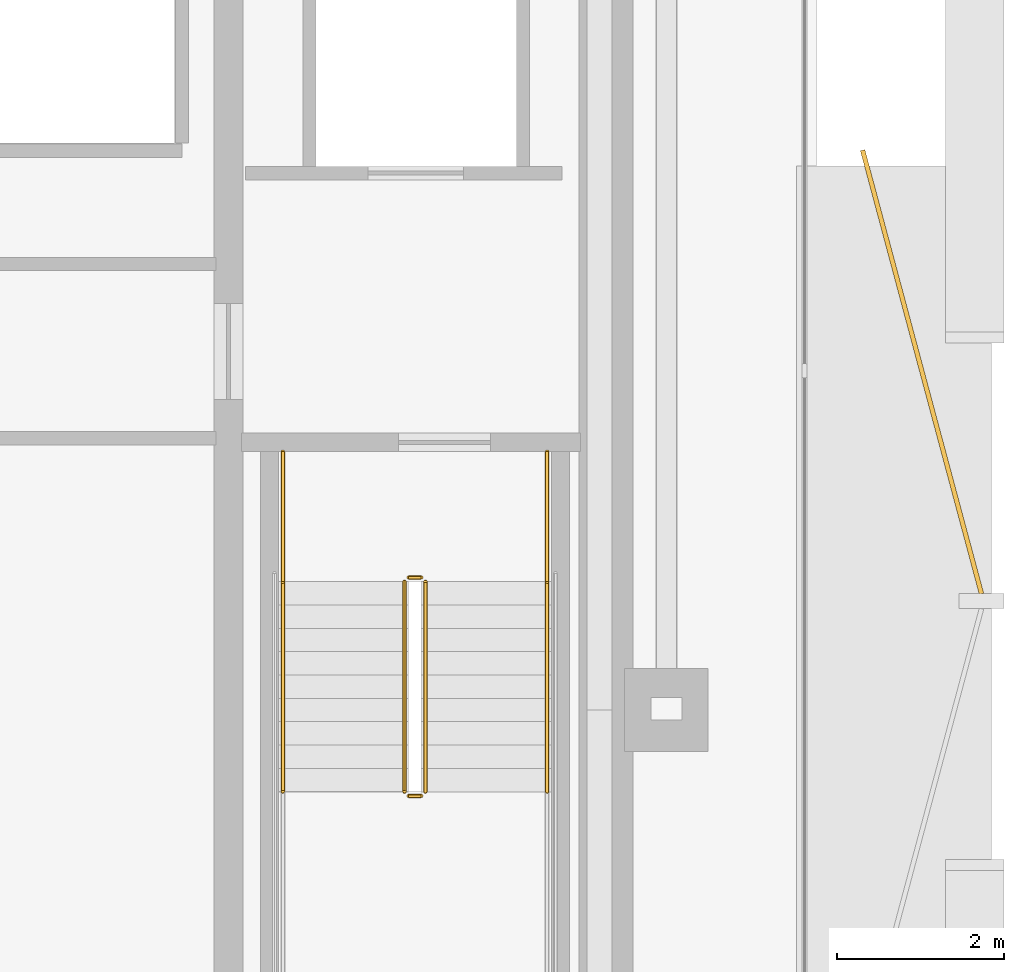
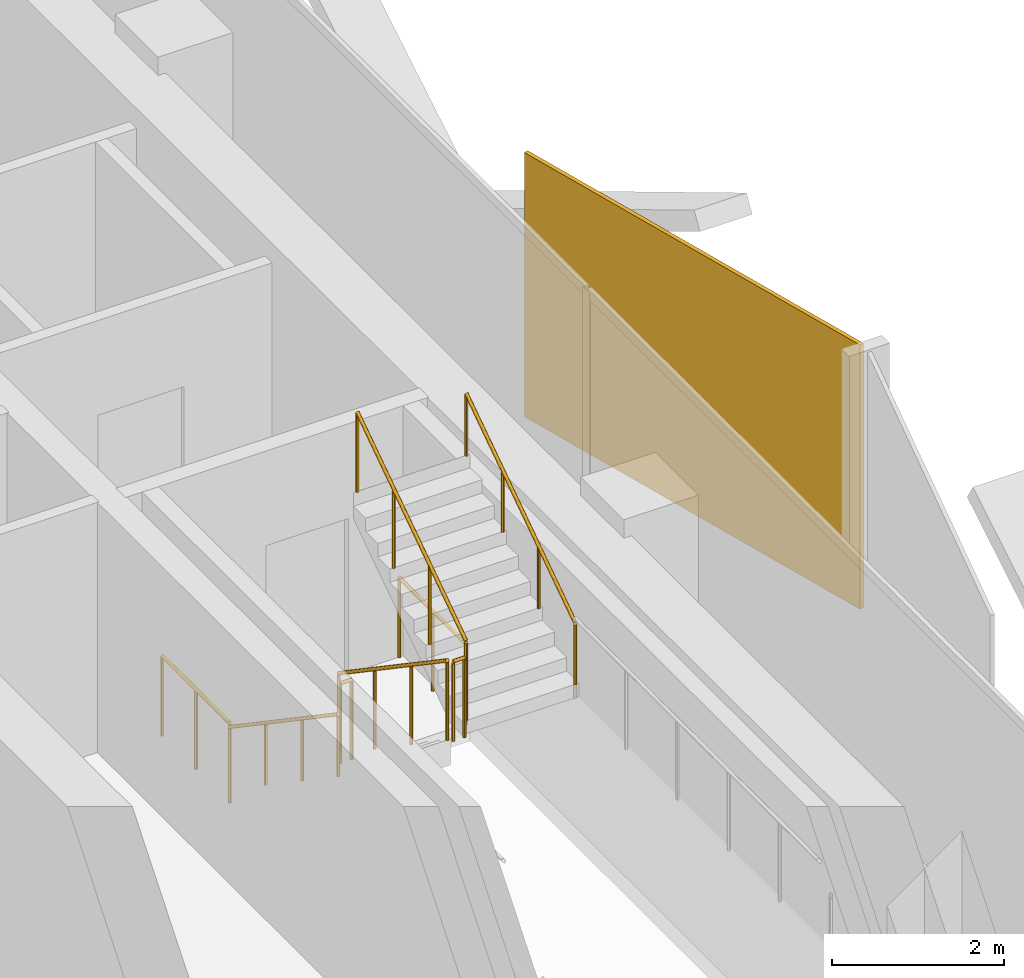
# One storey, part 15 of 17: 8 railings, 1 covering.
"""IFC4 building model written with IfcOpenShell, lengths in metres."""

import ifcopenshell
import ifcopenshell.guid

model = None  # the IFC model being written
_history = None  # IfcOwnerHistory: only IFC2X3 demands one
_inside = {}  # id of a spatial element -> (the spatial element, [elements in it])
_under = {}  # id of a project, library or spatial element -> (it, [spatial elements below it])
_declared = {}  # id of a project -> (the project, [libraries it declares])
_typed = {}  # id of a type object -> (the type object, [elements of that type])
_made_of = {}  # id of a material, layer set ... -> (it, [elements and type objects made of it])


def new_model(schema):
    """Start an empty IFC model of exactly this schema.

    Asked for "IFC4X3", IfcOpenShell would pick the latest addendum, in which some entities
    have other attributes; the version numbers below select the first issue.
    IFC2X3 requires an IfcOwnerHistory on every rooted entity: one is made here for all.
    """
    global model, _history
    if schema == "IFC4X3":
        model = ifcopenshell.file(schema_version=(4, 3, 0, 0))
    else:
        model = ifcopenshell.file(schema=schema)
    _inside.clear()
    _under.clear()
    _declared.clear()
    _typed.clear()
    _made_of.clear()
    _history = None
    if model.schema == "IFC2X3":
        org = make("IfcOrganization", Name="unknown")
        user = make(
            "IfcPersonAndOrganization",
            ThePerson=make("IfcPerson", FamilyName="unknown"),
            TheOrganization=org,
        )
        app = make(
            "IfcApplication",
            ApplicationDeveloper=org,
            Version="unknown",
            ApplicationFullName="unknown",
            ApplicationIdentifier="unknown",
        )
        _history = make(
            "IfcOwnerHistory",
            OwningUser=user,
            OwningApplication=app,
            ChangeAction="ADDED",
            CreationDate=0,
        )
    return model


def make(cls, **values):
    """One entity of the class cls with the attributes given. An attribute that is None is left unset."""
    return model.create_entity(
        cls, **{name: value for name, value in values.items() if value is not None}
    )


def rooted(cls, **values):
    """An entity with a GlobalId (a new one), such as an element, a storey or a relation."""
    return make(cls, GlobalId=ifcopenshell.guid.new(), OwnerHistory=_history, **values)


def si_unit(unit_type, name, prefix=None):
    """IfcSIUnit, for example si_unit("LENGTHUNIT", "METRE", prefix="MILLI")."""
    return make("IfcSIUnit", UnitType=unit_type, Prefix=prefix, Name=name)


def assignment(units):
    """IfcUnitAssignment: the units of a project."""
    return None if units is None else make("IfcUnitAssignment", Units=units)


def point(xyz):
    """IfcCartesianPoint."""
    return None if xyz is None else make("IfcCartesianPoint", Coordinates=xyz)


def direction(xyz):
    """IfcDirection."""
    return None if xyz is None else make("IfcDirection", DirectionRatios=xyz)


def frame(location, z_axis=None, x_axis=None):
    """IfcAxis2Placement3D, a coordinate frame: its origin and axes. An axis left out is left unset."""
    return make(
        "IfcAxis2Placement3D",
        Location=point(location),
        Axis=direction(z_axis),
        RefDirection=direction(x_axis),
    )


def frame_2d(location, x_axis=None):
    """IfcAxis2Placement2D, a coordinate frame in the plane: its origin and x axis."""
    return make(
        "IfcAxis2Placement2D", Location=point(location), RefDirection=direction(x_axis)
    )


def origin():
    """The frame at (0, 0, 0) with its axes left unset."""
    return frame((0.0, 0.0, 0.0))


def origin_2d():
    """The frame at (0, 0) in the plane with its x axis left unset."""
    return frame_2d((0.0, 0.0))


def place(relative_to, where):
    """IfcLocalPlacement: puts the frame where relative to a parent placement (None: the world)."""
    return make(
        "IfcLocalPlacement", PlacementRelTo=relative_to, RelativePlacement=where
    )


def context(
    kind, dimensions, precision=None, world=None, true_north=None, identifier=None
):
    """IfcGeometricRepresentationContext, for example the 3D "Model" context."""
    return make(
        "IfcGeometricRepresentationContext",
        ContextIdentifier=identifier,
        ContextType=kind,
        CoordinateSpaceDimension=dimensions,
        Precision=precision,
        WorldCoordinateSystem=world,
        TrueNorth=true_north,
    )


def subcontext(parent, identifier, kind, view, scale=None):
    """IfcGeometricRepresentationSubContext, for example "Body" below "Model"."""
    return make(
        "IfcGeometricRepresentationSubContext",
        ContextIdentifier=identifier,
        ContextType=kind,
        ParentContext=parent,
        TargetScale=scale,
        TargetView=view,
    )


def project(units=None, contexts=None):
    """IfcProject with its units and contexts."""
    return rooted(
        "IfcProject",
        Name="project",
        RepresentationContexts=contexts,
        UnitsInContext=assignment(units),
    )


def spatial(cls, under=None, at=None, **own):
    """A site, building, storey or space (cls), placed at a placement, below another one or the project."""
    s = rooted(cls, ObjectPlacement=at, **own)
    if under is not None:
        _under.setdefault(under.id(), (under, []))[1].append(s)
    return s


def profile(cls, at=None, kind="AREA", **sizes):
    """A parametric profile (cls). Its sizes go by their IFC names, for example OverallWidth=200.0."""
    return make(cls, ProfileType=kind, Position=at, **sizes)


def rectangle(**sizes):
    """IfcRectangleProfileDef."""
    return profile("IfcRectangleProfileDef", **sizes)


def circle(**sizes):
    """IfcCircleProfileDef."""
    return profile("IfcCircleProfileDef", **sizes)


def extrude(swept, where, along, depth):
    """IfcExtrudedAreaSolid: the profile swept, set in the frame where, extruded along a direction by depth."""
    return make(
        "IfcExtrudedAreaSolid",
        SweptArea=swept,
        Position=where,
        ExtrudedDirection=direction(along),
        Depth=depth,
    )


def shape(context_of_items, identifier, shape_type, items):
    """IfcShapeRepresentation: the items that make up one representation, for example the "Body"."""
    return make(
        "IfcShapeRepresentation",
        ContextOfItems=context_of_items,
        RepresentationIdentifier=identifier,
        RepresentationType=shape_type,
        Items=items,
    )


def material(Name=None, Category=None):
    """IfcMaterial."""
    return make("IfcMaterial", Name=Name, Category=Category)


def layer(
    of_material, thickness, ventilated=None, Name=None, Category=None, Priority=None
):
    """IfcMaterialLayer: one layer of a wall or slab, of a material (None: an air gap)."""
    return make(
        "IfcMaterialLayer",
        Material=of_material,
        LayerThickness=thickness,
        IsVentilated=ventilated,
        Name=Name,
        Category=Category,
        Priority=Priority,
    )


def layer_set(layers, Name=None):
    """IfcMaterialLayerSet."""
    return make("IfcMaterialLayerSet", MaterialLayers=layers, LayerSetName=Name)


def made_of(thing, what):
    """Note that an element or type object is made of a material, layer set ...; save() writes the relation."""
    if what is not None:
        _made_of.setdefault(what.id(), (what, []))[1].append(thing)
    return thing


def type_object(cls, material=None, **own):
    """A type object (cls), such as IfcWallType, which elements share."""
    return made_of(rooted(cls, **own), material)


def element(
    cls,
    number,
    at=None,
    inside=None,
    cuts=None,
    type_object=None,
    material=None,
    context=None,
    identifier="Body",
    shape_type=None,
    held_by="IfcProductDefinitionShape",
    body=None,
    shapes=None,
    **own,
):
    """One element of the class cls, such as IfcWall. Its Tag is "e" and its number.

    at: its placement. inside: the storey or other place that contains it. cuts: it is an
    opening in that element (IfcRelVoidsElement). A single representation is given by context,
    identifier, shape_type and body (its items); several are given by shapes. held_by: the class
    of the entity that holds the representations. save() writes the other relations.
    """
    e = rooted(cls, Tag="e%d" % number, ObjectPlacement=at, **own)
    if body is not None:
        shapes = [shape(context, identifier, shape_type, body)]
    if shapes is not None:
        e.Representation = make(held_by, Representations=shapes)
    if inside is not None:
        _inside.setdefault(inside.id(), (inside, []))[1].append(e)
    if cuts is not None:
        rooted(
            "IfcRelVoidsElement", RelatingBuildingElement=cuts, RelatedOpeningElement=e
        )
    if type_object is not None:
        _typed.setdefault(type_object.id(), (type_object, []))[1].append(e)
    return made_of(e, material)


def aggregate(whole, parts):
    """IfcRelAggregates: a whole, such as a stair, and the parts it consists of."""
    return rooted("IfcRelAggregates", RelatingObject=whole, RelatedObjects=parts)


def save(model, path):
    """Write the relations noted so far, then the file.

    IfcRelAggregates (storeys below a building ...), IfcRelContainedInSpatialStructure (elements
    in a storey), IfcRelDefinesByType, IfcRelAssociatesMaterial and IfcRelDeclares: one each for
    every whole, place, type object, material and project.
    """
    for whole, parts in _under.values():
        aggregate(whole, parts)
    for where, things in _inside.values():
        rooted(
            "IfcRelContainedInSpatialStructure",
            RelatedElements=things,
            RelatingStructure=where,
        )
    for kind, things in _typed.values():
        rooted("IfcRelDefinesByType", RelatedObjects=things, RelatingType=kind)
    for what, things in _made_of.values():
        rooted("IfcRelAssociatesMaterial", RelatedObjects=things, RelatingMaterial=what)
    for by, libraries in _declared.values():
        rooted("IfcRelDeclares", RelatingContext=by, RelatedDefinitions=libraries)
    model.write(path)


model = new_model("IFC4")

# Units and contexts
model_context = context("Model", 3, precision=1e-05, world=origin(), true_north=direction((0.0, 1.0)))
body_context = subcontext(model_context, "Body", "Model", "MODEL_VIEW")
ifc_project = project(units=[si_unit("LENGTHUNIT", "METRE"), si_unit("AREAUNIT", "SQUARE_METRE"), si_unit("VOLUMEUNIT", "CUBIC_METRE"), si_unit("PLANEANGLEUNIT", "RADIAN"), si_unit("MASSUNIT", "GRAM", prefix="KILO")], contexts=[model_context])

# Site, building, storey
site_placement = place(None, origin())
site = spatial("IfcSite", under=ifc_project, at=site_placement, CompositionType="ELEMENT")
building_placement = place(site_placement, origin())
building = spatial("IfcBuilding", under=site, at=building_placement, Name="Khairoan Windgate Tower", CompositionType="ELEMENT")
storey_placement = place(building_placement, frame((0.0, 0.0, 172.60009765625)))
storey = spatial("IfcBuildingStorey", under=building, at=storey_placement, Name="L39", CompositionType="ELEMENT", Elevation=172.60009765625)

# Covering
ifc_material_1 = material(Name="Anodised Bronze Aluminium 6063-T6", Category="aluminium")
ifc_layer = layer(ifc_material_1, 0.054931640625, Name="Anodised Bronze Aluminium 6063-T6")
ifc_layer_set = layer_set([ifc_layer], Name="Anodised Bronze Aluminium 6063-T6")
covering_type = type_object("IfcCoveringType", Name="Perforated Bronze-Ceramic Folded Solar Screen Cladding BSC-1", PredefinedType="CLADDING", material=ifc_layer_set)
covering_placement = place(storey_placement, frame((23.8671875, -6.74560546875, -0.10009765625), z_axis=(0.0, 0.0, 1.0), x_axis=(0.258819045103, -0.965925826289, 0.0)))
element("IfcCovering", 1, at=covering_placement, inside=storey, type_object=covering_type, Name="L39 Folded Bronze Solar Screen Facet 256L", PredefinedType="CLADDING", context=body_context, shape_type="SweptSolid", body=[
    extrude(rectangle(XDim=5.507080078125, YDim=0.054931640625, at=origin_2d()), origin(), (0.0, 0.0, 1.0), 3.739990234375),
])

# Railings
ifc_material_2 = material(Name="Anodised Bronze Aluminium 6063-T6", Category="aluminium")
railing_type_1 = type_object("IfcRailingType", Name="Stair Wall Handrail SHR-900", PredefinedType="HANDRAIL", material=ifc_material_2)
railing_1_placement = place(storey_placement, frame((16.199951171875, -9.260009765625, 0.18994140625)))
element("IfcRailing", 2, at=railing_1_placement, inside=storey, type_object=railing_type_1, Name="L39 ST1 stair handrail 1", PredefinedType="HANDRAIL", context=body_context, shape_type="SweptSolid", body=[
    extrude(circle(Radius=0.02392578125, at=origin_2d()), frame((0.0, 0.0, 0.8759765625), z_axis=(0.0, -0.827483756001, 0.561489655786), x_axis=(1.0, 0.0, 0.0)), (0.0, 0.0, 1.0), 3.04541015625),
    extrude(circle(Radius=0.02099609375, at=origin_2d()), origin(), (0.0, 0.0, 1.0), 0.851806640625),
    extrude(circle(Radius=0.02099609375, at=origin_2d()), frame((0.0, -0.840087890625, 0.570068359375)), (0.0, 0.0, 1.0), 0.851806640625),
    extrude(circle(Radius=0.02099609375, at=origin_2d()), frame((0.0, -1.679931640625, 1.139892578125)), (0.0, 0.0, 1.0), 0.851806640625),
    extrude(circle(Radius=0.02099609375, at=origin_2d()), frame((0.0, -2.52001953125, 1.7099609375)), (0.0, 0.0, 1.0), 0.851806640625),
])
railing_2_placement = place(storey_placement, frame((19.3701171875, -11.780029296875, 2.08984375)))
element("IfcRailing", 3, at=railing_2_placement, inside=storey, type_object=railing_type_1, Name="L39 ST1 stair handrail 2", PredefinedType="HANDRAIL", context=body_context, shape_type="SweptSolid", body=[
    extrude(circle(Radius=0.02392578125, at=origin_2d()), frame((0.0, 0.0, 0.8759765625), z_axis=(0.0, 0.827483756001, 0.561489655786), x_axis=(-1.0, 0.0, 0.0)), (0.0, 0.0, 1.0), 3.04541015625),
    extrude(circle(Radius=0.02099609375, at=origin_2d()), origin(), (0.0, 0.0, 1.0), 0.851806640625),
    extrude(circle(Radius=0.02099609375, at=origin_2d()), frame((0.0, 0.840087890625, 0.570068359375)), (0.0, 0.0, 1.0), 0.851806640625),
    extrude(circle(Radius=0.02099609375, at=origin_2d()), frame((0.0, 1.679931640625, 1.139892578125)), (0.0, 0.0, 1.0), 0.851806640625),
    extrude(circle(Radius=0.02099609375, at=origin_2d()), frame((0.0, 2.52001953125, 1.7099609375)), (0.0, 0.0, 1.0), 0.851806640625),
])
ifc_material_3 = material(Name="Steel S355", Category="steel")
railing_type_2 = type_object("IfcRailingType", Name="Stairwell Safety Guardrail SGR-1150", PredefinedType="GUARDRAIL", material=ifc_material_3)
railing_3_placement = place(storey_placement, frame((17.659912109375, -9.260009765625, 0.18994140625)))
element("IfcRailing", 4, at=railing_3_placement, inside=storey, type_object=railing_type_2, Name="L39 ST1 stair guard 1", PredefinedType="GUARDRAIL", context=body_context, shape_type="SweptSolid", body=[
    extrude(circle(Radius=0.02392578125, at=origin_2d()), frame((0.0, 0.0, 1.1259765625), z_axis=(0.0, -0.827483756001, 0.561489655786), x_axis=(1.0, 0.0, 0.0)), (0.0, 0.0, 1.0), 3.04541015625),
    extrude(circle(Radius=0.02099609375, at=origin_2d()), origin(), (0.0, 0.0, 1.0), 1.101806640625),
    extrude(circle(Radius=0.02099609375, at=origin_2d()), frame((0.0, -0.840087890625, 0.570068359375)), (0.0, 0.0, 1.0), 1.101806640625),
    extrude(circle(Radius=0.02099609375, at=origin_2d()), frame((0.0, -1.679931640625, 1.139892578125)), (0.0, 0.0, 1.0), 1.101806640625),
    extrude(circle(Radius=0.02099609375, at=origin_2d()), frame((0.0, -2.52001953125, 1.7099609375)), (0.0, 0.0, 1.0), 1.101806640625),
])
railing_4_placement = place(storey_placement, frame((17.7099609375, -11.830078125, 1.89990234375)))
element("IfcRailing", 5, at=railing_4_placement, inside=storey, type_object=railing_type_2, Name="L39 ST1 stair guard 2", PredefinedType="GUARDRAIL", context=body_context, shape_type="SweptSolid", body=[
    extrude(circle(Radius=0.02392578125, at=origin_2d()), frame((0.0, 0.0, 1.1259765625), z_axis=(1.0, 0.0, 0.0), x_axis=(0.0, 1.0, 0.0)), (0.0, 0.0, 1.0), 0.150146484375),
    extrude(circle(Radius=0.02099609375, at=origin_2d()), origin(), (0.0, 0.0, 1.0), 1.101806640625),
    extrude(circle(Radius=0.02099609375, at=origin_2d()), frame((0.150146484375, 0.0, 0.0)), (0.0, 0.0, 1.0), 1.101806640625),
])
railing_5_placement = place(storey_placement, frame((17.909912109375, -11.780029296875, 2.08984375)))
element("IfcRailing", 6, at=railing_5_placement, inside=storey, type_object=railing_type_2, Name="L39 ST1 stair guard 6", PredefinedType="GUARDRAIL", context=body_context, shape_type="SweptSolid", body=[
    extrude(circle(Radius=0.02392578125, at=origin_2d()), frame((0.0, 0.0, 1.1259765625), z_axis=(0.0, 0.827483756001, 0.561489655786), x_axis=(-1.0, 0.0, 0.0)), (0.0, 0.0, 1.0), 3.04541015625),
    extrude(circle(Radius=0.02099609375, at=origin_2d()), origin(), (0.0, 0.0, 1.0), 1.101806640625),
    extrude(circle(Radius=0.02099609375, at=origin_2d()), frame((0.0, 0.840087890625, 0.570068359375)), (0.0, 0.0, 1.0), 1.101806640625),
    extrude(circle(Radius=0.02099609375, at=origin_2d()), frame((0.0, 1.679931640625, 1.139892578125)), (0.0, 0.0, 1.0), 1.101806640625),
    extrude(circle(Radius=0.02099609375, at=origin_2d()), frame((0.0, 2.52001953125, 1.7099609375)), (0.0, 0.0, 1.0), 1.101806640625),
])
railing_6_placement = place(storey_placement, frame((17.7099609375, -9.2099609375, 0.0)))
element("IfcRailing", 7, at=railing_6_placement, inside=storey, type_object=railing_type_2, Name="L39 ST1 stair guard 7", PredefinedType="GUARDRAIL", context=body_context, shape_type="SweptSolid", body=[
    extrude(circle(Radius=0.02392578125, at=origin_2d()), frame((0.0, 0.0, 1.1259765625), z_axis=(1.0, 0.0, 0.0), x_axis=(0.0, 1.0, 0.0)), (0.0, 0.0, 1.0), 0.150146484375),
    extrude(circle(Radius=0.02099609375, at=origin_2d()), origin(), (0.0, 0.0, 1.0), 1.101806640625),
    extrude(circle(Radius=0.02099609375, at=origin_2d()), frame((0.150146484375, 0.0, 0.0)), (0.0, 0.0, 1.0), 1.101806640625),
])
for number, where, name in (
    (8, (16.199951171875, -7.699951171875, 0.0), "L39 ST1 stair guard 8"),
    (9, (19.3701171875, -7.699951171875, 0.0), "L39 ST1 stair guard 9"),
):
    element("IfcRailing", number, at=place(storey_placement, frame(where)), inside=storey, type_object=railing_type_2, Name=name, PredefinedType="GUARDRAIL", context=body_context, shape_type="SweptSolid", body=[
        extrude(circle(Radius=0.02392578125, at=origin_2d()), frame((0.0, 0.0, 1.1259765625), z_axis=(0.0, -1.0, 0.0), x_axis=(1.0, 0.0, 0.0)), (0.0, 0.0, 1.0), 1.56005859375),
        extrude(circle(Radius=0.02099609375, at=origin_2d()), origin(), (0.0, 0.0, 1.0), 1.101806640625),
        extrude(circle(Radius=0.02099609375, at=origin_2d()), frame((0.0, -0.780029296875, 0.0)), (0.0, 0.0, 1.0), 1.101806640625),
        extrude(circle(Radius=0.02099609375, at=origin_2d()), frame((0.0, -1.56005859375, 0.0)), (0.0, 0.0, 1.0), 1.101806640625),
    ])

save(model, "model.ifc")
